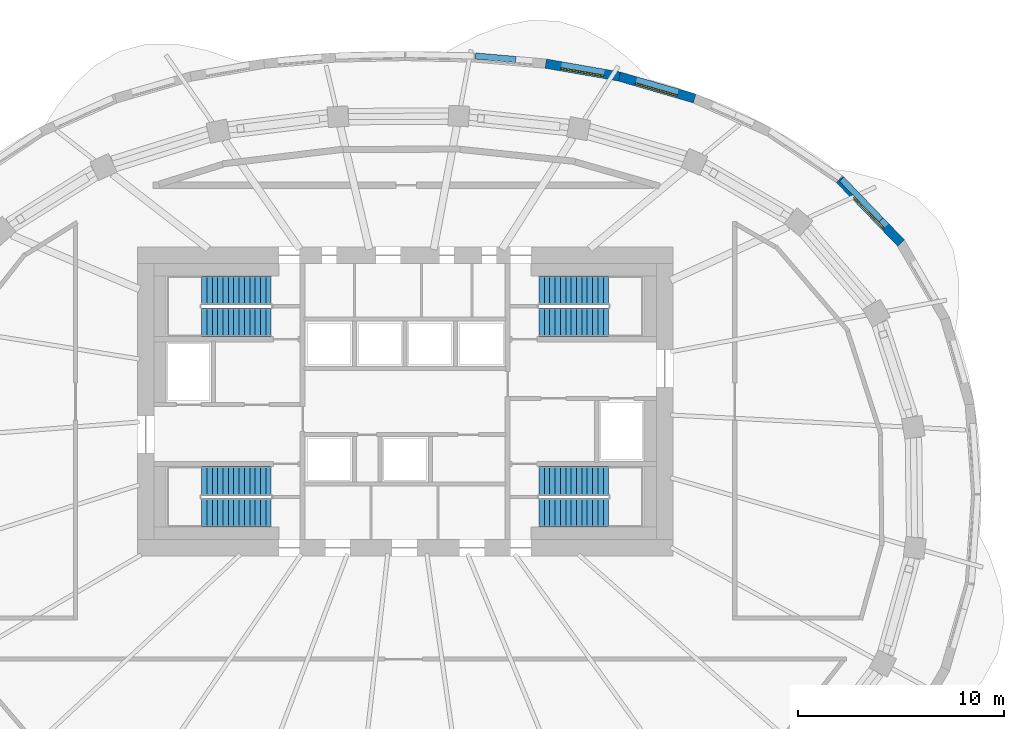
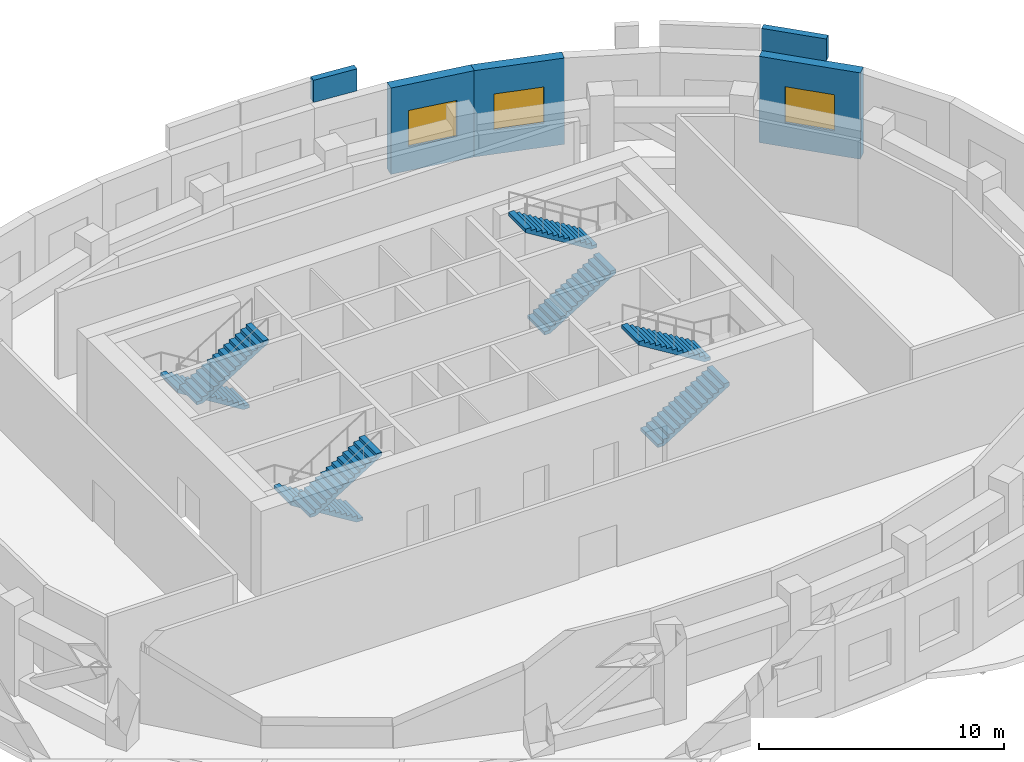
# One storey, part 8 of 9: 8 stair flights, 5 walls, 3 windows, 3 openings, 4 elements without a shape of their own.
"""IFC4 building model written with IfcOpenShell, lengths in metres."""

import ifcopenshell
import ifcopenshell.guid

model = None  # the IFC model being written
_history = None  # IfcOwnerHistory: only IFC2X3 demands one
_inside = {}  # id of a spatial element -> (the spatial element, [elements in it])
_under = {}  # id of a project, library or spatial element -> (it, [spatial elements below it])
_declared = {}  # id of a project -> (the project, [libraries it declares])
_typed = {}  # id of a type object -> (the type object, [elements of that type])
_made_of = {}  # id of a material, layer set ... -> (it, [elements and type objects made of it])


def new_model(schema):
    """Start an empty IFC model of exactly this schema.

    Asked for "IFC4X3", IfcOpenShell would pick the latest addendum, in which some entities
    have other attributes; the version numbers below select the first issue.
    IFC2X3 requires an IfcOwnerHistory on every rooted entity: one is made here for all.
    """
    global model, _history
    if schema == "IFC4X3":
        model = ifcopenshell.file(schema_version=(4, 3, 0, 0))
    else:
        model = ifcopenshell.file(schema=schema)
    _inside.clear()
    _under.clear()
    _declared.clear()
    _typed.clear()
    _made_of.clear()
    _history = None
    if model.schema == "IFC2X3":
        org = make("IfcOrganization", Name="unknown")
        user = make(
            "IfcPersonAndOrganization",
            ThePerson=make("IfcPerson", FamilyName="unknown"),
            TheOrganization=org,
        )
        app = make(
            "IfcApplication",
            ApplicationDeveloper=org,
            Version="unknown",
            ApplicationFullName="unknown",
            ApplicationIdentifier="unknown",
        )
        _history = make(
            "IfcOwnerHistory",
            OwningUser=user,
            OwningApplication=app,
            ChangeAction="ADDED",
            CreationDate=0,
        )
    return model


def make(cls, **values):
    """One entity of the class cls with the attributes given. An attribute that is None is left unset."""
    return model.create_entity(
        cls, **{name: value for name, value in values.items() if value is not None}
    )


def rooted(cls, **values):
    """An entity with a GlobalId (a new one), such as an element, a storey or a relation."""
    return make(cls, GlobalId=ifcopenshell.guid.new(), OwnerHistory=_history, **values)


def si_unit(unit_type, name, prefix=None):
    """IfcSIUnit, for example si_unit("LENGTHUNIT", "METRE", prefix="MILLI")."""
    return make("IfcSIUnit", UnitType=unit_type, Prefix=prefix, Name=name)


def assignment(units):
    """IfcUnitAssignment: the units of a project."""
    return None if units is None else make("IfcUnitAssignment", Units=units)


def point(xyz):
    """IfcCartesianPoint."""
    return None if xyz is None else make("IfcCartesianPoint", Coordinates=xyz)


def direction(xyz):
    """IfcDirection."""
    return None if xyz is None else make("IfcDirection", DirectionRatios=xyz)


def frame(location, z_axis=None, x_axis=None):
    """IfcAxis2Placement3D, a coordinate frame: its origin and axes. An axis left out is left unset."""
    return make(
        "IfcAxis2Placement3D",
        Location=point(location),
        Axis=direction(z_axis),
        RefDirection=direction(x_axis),
    )


def frame_2d(location, x_axis=None):
    """IfcAxis2Placement2D, a coordinate frame in the plane: its origin and x axis."""
    return make(
        "IfcAxis2Placement2D", Location=point(location), RefDirection=direction(x_axis)
    )


def origin():
    """The frame at (0, 0, 0) with its axes left unset."""
    return frame((0.0, 0.0, 0.0))


def place(relative_to, where):
    """IfcLocalPlacement: puts the frame where relative to a parent placement (None: the world)."""
    return make(
        "IfcLocalPlacement", PlacementRelTo=relative_to, RelativePlacement=where
    )


def context(
    kind, dimensions, precision=None, world=None, true_north=None, identifier=None
):
    """IfcGeometricRepresentationContext, for example the 3D "Model" context."""
    return make(
        "IfcGeometricRepresentationContext",
        ContextIdentifier=identifier,
        ContextType=kind,
        CoordinateSpaceDimension=dimensions,
        Precision=precision,
        WorldCoordinateSystem=world,
        TrueNorth=true_north,
    )


def subcontext(parent, identifier, kind, view, scale=None):
    """IfcGeometricRepresentationSubContext, for example "Body" below "Model"."""
    return make(
        "IfcGeometricRepresentationSubContext",
        ContextIdentifier=identifier,
        ContextType=kind,
        ParentContext=parent,
        TargetScale=scale,
        TargetView=view,
    )


def project(units=None, contexts=None):
    """IfcProject with its units and contexts."""
    return rooted(
        "IfcProject",
        Name="project",
        RepresentationContexts=contexts,
        UnitsInContext=assignment(units),
    )


def spatial(cls, under=None, at=None, **own):
    """A site, building, storey or space (cls), placed at a placement, below another one or the project."""
    s = rooted(cls, ObjectPlacement=at, **own)
    if under is not None:
        _under.setdefault(under.id(), (under, []))[1].append(s)
    return s


def polyline(points):
    """IfcPolyline through the points."""
    return make("IfcPolyline", Points=[point(p) for p in points])


def profile(cls, at=None, kind="AREA", **sizes):
    """A parametric profile (cls). Its sizes go by their IFC names, for example OverallWidth=200.0."""
    return make(cls, ProfileType=kind, Position=at, **sizes)


def rectangle(**sizes):
    """IfcRectangleProfileDef."""
    return profile("IfcRectangleProfileDef", **sizes)


def outline(outer, holes=None, kind="AREA"):
    """IfcArbitraryClosedProfileDef: a profile drawn as a closed curve; with holes, ...WithVoids."""
    if holes is None:
        return make("IfcArbitraryClosedProfileDef", ProfileType=kind, OuterCurve=outer)
    return make(
        "IfcArbitraryProfileDefWithVoids",
        ProfileType=kind,
        OuterCurve=outer,
        InnerCurves=holes,
    )


def extrude(swept, where, along, depth):
    """IfcExtrudedAreaSolid: the profile swept, set in the frame where, extruded along a direction by depth."""
    return make(
        "IfcExtrudedAreaSolid",
        SweptArea=swept,
        Position=where,
        ExtrudedDirection=direction(along),
        Depth=depth,
    )


def shape(context_of_items, identifier, shape_type, items):
    """IfcShapeRepresentation: the items that make up one representation, for example the "Body"."""
    return make(
        "IfcShapeRepresentation",
        ContextOfItems=context_of_items,
        RepresentationIdentifier=identifier,
        RepresentationType=shape_type,
        Items=items,
    )


def material(Name=None, Category=None):
    """IfcMaterial."""
    return make("IfcMaterial", Name=Name, Category=Category)


def layer(
    of_material, thickness, ventilated=None, Name=None, Category=None, Priority=None
):
    """IfcMaterialLayer: one layer of a wall or slab, of a material (None: an air gap)."""
    return make(
        "IfcMaterialLayer",
        Material=of_material,
        LayerThickness=thickness,
        IsVentilated=ventilated,
        Name=Name,
        Category=Category,
        Priority=Priority,
    )


def layer_set(layers, Name=None):
    """IfcMaterialLayerSet."""
    return make("IfcMaterialLayerSet", MaterialLayers=layers, LayerSetName=Name)


def made_of(thing, what):
    """Note that an element or type object is made of a material, layer set ...; save() writes the relation."""
    if what is not None:
        _made_of.setdefault(what.id(), (what, []))[1].append(thing)
    return thing


def type_object(cls, material=None, **own):
    """A type object (cls), such as IfcWallType, which elements share."""
    return made_of(rooted(cls, **own), material)


def element(
    cls,
    number,
    at=None,
    inside=None,
    cuts=None,
    type_object=None,
    material=None,
    context=None,
    identifier="Body",
    shape_type=None,
    held_by="IfcProductDefinitionShape",
    body=None,
    shapes=None,
    **own,
):
    """One element of the class cls, such as IfcWall. Its Tag is "e" and its number.

    at: its placement. inside: the storey or other place that contains it. cuts: it is an
    opening in that element (IfcRelVoidsElement). A single representation is given by context,
    identifier, shape_type and body (its items); several are given by shapes. held_by: the class
    of the entity that holds the representations. save() writes the other relations.
    """
    e = rooted(cls, Tag="e%d" % number, ObjectPlacement=at, **own)
    if body is not None:
        shapes = [shape(context, identifier, shape_type, body)]
    if shapes is not None:
        e.Representation = make(held_by, Representations=shapes)
    if inside is not None:
        _inside.setdefault(inside.id(), (inside, []))[1].append(e)
    if cuts is not None:
        rooted(
            "IfcRelVoidsElement", RelatingBuildingElement=cuts, RelatedOpeningElement=e
        )
    if type_object is not None:
        _typed.setdefault(type_object.id(), (type_object, []))[1].append(e)
    return made_of(e, material)


def fill(opening, filler):
    """IfcRelFillsElement: the door or window that sits in an opening."""
    return rooted(
        "IfcRelFillsElement",
        RelatingOpeningElement=opening,
        RelatedBuildingElement=filler,
    )


def aggregate(whole, parts):
    """IfcRelAggregates: a whole, such as a stair, and the parts it consists of."""
    return rooted("IfcRelAggregates", RelatingObject=whole, RelatedObjects=parts)


def save(model, path):
    """Write the relations noted so far, then the file.

    IfcRelAggregates (storeys below a building ...), IfcRelContainedInSpatialStructure (elements
    in a storey), IfcRelDefinesByType, IfcRelAssociatesMaterial and IfcRelDeclares: one each for
    every whole, place, type object, material and project.
    """
    for whole, parts in _under.values():
        aggregate(whole, parts)
    for where, things in _inside.values():
        rooted(
            "IfcRelContainedInSpatialStructure",
            RelatedElements=things,
            RelatingStructure=where,
        )
    for kind, things in _typed.values():
        rooted("IfcRelDefinesByType", RelatedObjects=things, RelatingType=kind)
    for what, things in _made_of.values():
        rooted("IfcRelAssociatesMaterial", RelatedObjects=things, RelatingMaterial=what)
    for by, libraries in _declared.values():
        rooted("IfcRelDeclares", RelatingContext=by, RelatedDefinitions=libraries)
    model.write(path)


model = new_model("IFC4")

# Units and contexts
model_context = context("Model", 3, precision=1e-05, world=origin(), true_north=direction((0.0, 1.0)))
body_context = subcontext(model_context, "Body", "Model", "MODEL_VIEW")
ifc_project = project(units=[si_unit("LENGTHUNIT", "METRE"), si_unit("AREAUNIT", "SQUARE_METRE"), si_unit("VOLUMEUNIT", "CUBIC_METRE"), si_unit("PLANEANGLEUNIT", "RADIAN"), si_unit("MASSUNIT", "GRAM", prefix="KILO")], contexts=[model_context])

# Site, building, storey
site_placement = place(None, origin())
site = spatial("IfcSite", under=ifc_project, at=site_placement, CompositionType="ELEMENT")
building_placement = place(site_placement, origin())
building = spatial("IfcBuilding", under=site, at=building_placement, Name="Rubra Terraces Tower", CompositionType="ELEMENT")
storey_placement = place(building_placement, frame((0.0, 0.0, 216.89990234375)))
storey = spatial("IfcBuildingStorey", under=building, at=storey_placement, Name="L53", CompositionType="ELEMENT", Elevation=216.89990234375)

# Wall, opening, window
ifc_material_1 = material(Name="Brick masonry red-brown", Category="masonry")
ifc_layer_1 = layer(ifc_material_1, 0.449951171875)
ifc_layer_set_1 = layer_set([ifc_layer_1], Name="Brick masonry red-brown")
wall_type_1 = type_object("IfcWallType", Name="Brick facade wall 450", PredefinedType="SOLIDWALL", material=ifc_layer_set_1)
wall_1_placement = place(storey_placement, frame((24.076904296875, 12.19384765625, 0.0), z_axis=(0.0, 0.0, 1.0), x_axis=(-0.69406513137, 0.719912212298, 0.0)))
wall_1 = element("IfcWall", 1, at=wall_1_placement, inside=storey, type_object=wall_type_1, Name="Facade wall L53 bay 4", PredefinedType="SOLIDWALL", context=body_context, shape_type="SweptSolid", body=[
    extrude(rectangle(XDim=4.2978515625, YDim=0.449951171875, at=frame_2d((2.14892578125, 0.0))), origin(), (0.0, 0.0, 1.0), 4.300048828125),
])
opening_1_placement = place(wall_1_placement, frame((1.098876953125, 0.0, 1.199951171875)))
opening_1 = element("IfcOpeningElement", 2, at=opening_1_placement, cuts=wall_1, Name="Opening W4", PredefinedType="OPENING", context=body_context, shape_type="SweptSolid", body=[
    extrude(rectangle(XDim=2.10009765625, YDim=1.800048828125, at=frame_2d((1.050048828125, 0.89990234375))), frame((0.0, 0.23486328125, 0.0), z_axis=(0.0, -1.0, 0.0), x_axis=(1.0, 0.0, 0.0)), (0.0, 0.0, 1.0), 0.469970703125),
])
ifc_material_2 = material(Name="Clear glass in aluminium frame", Category="aluminium")
window_type = type_object("IfcWindowType", Name="Louvred plant window 2100 x 1800", PartitioningType="SINGLE_PANEL", PredefinedType="WINDOW", material=ifc_material_2)
window_1_placement = place(opening_1_placement, origin())
window_1 = element("IfcWindow", 3, at=window_1_placement, inside=storey, type_object=window_type, Name="Window L53 bay 4", OverallHeight=1.800048828125, OverallWidth=2.10009765625, PartitioningType="SINGLE_PANEL", PredefinedType="WINDOW", context=body_context, shape_type="SweptSolid", body=[
    extrude(rectangle(XDim=2.10009765625, YDim=1.800048828125, at=frame_2d((1.050048828125, 0.89990234375))), frame((0.0, 0.135009765625, 0.0), z_axis=(0.0, -1.0, 0.0), x_axis=(1.0, 0.0, 0.0)), (0.0, 0.0, 1.0), 0.06005859375),
])
fill(opening_1, window_1)

wall_2_placement = place(storey_placement, frame((14.052978515625, 19.212890625, 0.0), z_axis=(0.0, 0.0, 1.0), x_axis=(-0.960131452472, 0.279548911594, 0.0)))
wall_2 = element("IfcWall", 4, at=wall_2_placement, inside=storey, type_object=wall_type_1, Name="Facade wall L53 bay 7", PredefinedType="SOLIDWALL", context=body_context, shape_type="SweptSolid", body=[
    extrude(rectangle(XDim=3.824462890625, YDim=0.449951171875, at=frame_2d((1.912109375, 0.0))), origin(), (0.0, 0.0, 1.0), 4.300048828125),
])
opening_2_placement = place(wall_2_placement, frame((0.8623046875, 0.0, 1.199951171875)))
opening_2 = element("IfcOpeningElement", 5, at=opening_2_placement, cuts=wall_2, Name="Opening W4", PredefinedType="OPENING", context=body_context, shape_type="SweptSolid", body=[
    extrude(rectangle(XDim=2.10009765625, YDim=1.800048828125, at=frame_2d((1.050048828125, 0.89990234375))), frame((0.0, 0.23486328125, 0.0), z_axis=(0.0, -1.0, 0.0), x_axis=(1.0, 0.0, 0.0)), (0.0, 0.0, 1.0), 0.469970703125),
])
window_2_placement = place(opening_2_placement, origin())
window_2 = element("IfcWindow", 6, at=window_2_placement, inside=storey, type_object=window_type, Name="Window L53 bay 7", OverallHeight=1.800048828125, OverallWidth=2.10009765625, PartitioningType="SINGLE_PANEL", PredefinedType="WINDOW", context=body_context, shape_type="SweptSolid", body=[
    extrude(rectangle(XDim=2.10009765625, YDim=1.800048828125, at=frame_2d((1.050048828125, 0.89990234375))), frame((0.0, 0.135009765625, 0.0), z_axis=(0.0, -1.0, 0.0), x_axis=(1.0, 0.0, 0.0)), (0.0, 0.0, 1.0), 0.06005859375),
])
fill(opening_2, window_2)

wall_3_placement = place(storey_placement, frame((10.405029296875, 20.2763671875, 0.0), z_axis=(0.0, 0.0, 1.0), x_axis=(-0.984962239205, 0.172769752386, 0.0)))
wall_3 = element("IfcWall", 7, at=wall_3_placement, inside=storey, type_object=wall_type_1, Name="Facade wall L53 bay 8", PredefinedType="SOLIDWALL", context=body_context, shape_type="SweptSolid", body=[
    extrude(rectangle(XDim=3.634521484375, YDim=0.449951171875, at=frame_2d((1.8173828125, 0.0))), origin(), (0.0, 0.0, 1.0), 4.300048828125),
])
opening_3_placement = place(wall_3_placement, frame((0.767333984375, 0.0, 1.199951171875)))
opening_3 = element("IfcOpeningElement", 8, at=opening_3_placement, cuts=wall_3, Name="Opening W4", PredefinedType="OPENING", context=body_context, shape_type="SweptSolid", body=[
    extrude(rectangle(XDim=2.10009765625, YDim=1.800048828125, at=frame_2d((1.050048828125, 0.89990234375))), frame((0.0, 0.23486328125, 0.0), z_axis=(0.0, -1.0, 0.0), x_axis=(1.0, 0.0, 0.0)), (0.0, 0.0, 1.0), 0.469970703125),
])
window_3_placement = place(opening_3_placement, origin())
window_3 = element("IfcWindow", 9, at=window_3_placement, inside=storey, type_object=window_type, Name="Window L53 bay 8", OverallHeight=1.800048828125, OverallWidth=2.10009765625, PartitioningType="SINGLE_PANEL", PredefinedType="WINDOW", context=body_context, shape_type="SweptSolid", body=[
    extrude(rectangle(XDim=2.10009765625, YDim=1.800048828125, at=frame_2d((1.050048828125, 0.89990234375))), frame((0.0, 0.135009765625, 0.0), z_axis=(0.0, -1.0, 0.0), x_axis=(1.0, 0.0, 0.0)), (0.0, 0.0, 1.0), 0.06005859375),
])
fill(opening_3, window_3)

# Walls
ifc_layer_2 = layer(ifc_material_1, 0.300048828125)
ifc_layer_set_2 = layer_set([ifc_layer_2], Name="Brick masonry red-brown")
wall_type_2 = type_object("IfcWallType", Name="Brick parapet 300", PredefinedType="PARAPET", material=ifc_layer_set_2)
wall_4_placement = place(storey_placement, frame((23.09765625, 13.317626953125, 4.5), z_axis=(0.0, 0.0, 1.0), x_axis=(-0.694058269721, 0.71991882753, 0.0)))
element("IfcWall", 10, at=wall_4_placement, inside=storey, type_object=wall_type_2, Name="Parapet L53 bay 4", PredefinedType="PARAPET", context=body_context, shape_type="SweptSolid", body=[
    extrude(rectangle(XDim=2.747314453125, YDim=0.300048828125, at=frame_2d((1.37353515625, 0.0))), origin(), (0.0, 0.0, 1.0), 1.10009765625),
])
wall_5_placement = place(storey_placement, frame((5.370361328125, 21.10498046875, 4.5), z_axis=(0.0, 0.0, 1.0), x_axis=(-0.996256019863, 0.086451968666, 0.0)))
element("IfcWall", 11, at=wall_5_placement, inside=storey, type_object=wall_type_2, Name="Parapet L53 bay 9", PredefinedType="PARAPET", context=body_context, shape_type="SweptSolid", body=[
    extrude(rectangle(XDim=1.95703125, YDim=0.300048828125, at=frame_2d((0.978515625, 0.0))), origin(), (0.0, 0.0, 1.0), 1.10009765625),
])

# Stair, stair flights
ifc_material_3 = material(Name="Concrete C40", Category="concrete")
stair_type = type_object("IfcStairType", Name="Core stair 1400", PredefinedType="HALF_TURN_STAIR", material=ifc_material_3)
stair_1_placement = place(storey_placement, origin())
stair_1 = element("IfcStair", 12, at=stair_1_placement, inside=storey, type_object=stair_type, Name="L53 Exit stair S1", PredefinedType="HALF_TURN_STAIR")
stair_flight_type = type_object("IfcStairFlightType", Name="Core stair flight 1400", PredefinedType="STRAIGHT", material=ifc_material_3)
stair_flight_1_placement = place(storey_placement, frame((-6.5, 0.64990234375, 0.0), z_axis=(0.0, 0.0, 1.0), x_axis=(-1.0, 0.0, 0.0)))
stair_flight_1 = element("IfcStairFlight", 13, at=stair_flight_1_placement, type_object=stair_flight_type, Name="S1 flight 1", NumberOfRisers=14, NumberOfTreads=13, PredefinedType="STRAIGHT", RiserHeight=0.160714286, TreadLength=0.26, context=body_context, shape_type="SweptSolid", body=[
    extrude(outline(polyline([(0.0, 0.0), (0.0, 0.16064453125), (0.260009765625, 0.16064453125), (0.260009765625, 0.321533203125), (0.52001953125, 0.321533203125), (0.52001953125, 0.482177734375), (0.780029296875, 0.482177734375), (0.780029296875, 0.642822265625), (1.0400390625, 0.642822265625), (1.0400390625, 0.803466796875), (1.300048828125, 0.803466796875), (1.300048828125, 0.96435546875), (1.56005859375, 0.96435546875), (1.56005859375, 1.125), (1.820068359375, 1.125), (1.820068359375, 1.28564453125), (2.080078125, 1.28564453125), (2.080078125, 1.446533203125), (2.340087890625, 1.446533203125), (2.340087890625, 1.607177734375), (2.60009765625, 1.607177734375), (2.60009765625, 1.767822265625), (2.860107421875, 1.767822265625), (2.860107421875, 1.928466796875), (3.1201171875, 1.928466796875), (3.1201171875, 2.08935546875), (3.3798828125, 2.08935546875), (3.3798828125, 2.25), (3.3798828125, 1.9130859375), (0.28515625, 0.0), (0.0, 0.0)])), frame((0.0, 0.699951171875, 0.0), z_axis=(0.0, -1.0, 0.0), x_axis=(1.0, 0.0, 0.0)), (0.0, 0.0, 1.0), 1.39990234375),
])
stair_flight_2_placement = place(storey_placement, frame((-9.8798828125, -0.89990234375, 2.25), z_axis=(0.0, 0.0, 1.0), x_axis=(1.0, 0.0, 0.0)))
stair_flight_2 = element("IfcStairFlight", 14, at=stair_flight_2_placement, type_object=stair_flight_type, Name="S1 flight 2", NumberOfRisers=14, NumberOfTreads=13, PredefinedType="STRAIGHT", RiserHeight=0.160714286, TreadLength=0.26, context=body_context, shape_type="SweptSolid", body=[
    extrude(outline(polyline([(0.0, 0.0), (0.0, 0.16064453125), (0.260009765625, 0.16064453125), (0.260009765625, 0.321533203125), (0.52001953125, 0.321533203125), (0.52001953125, 0.482177734375), (0.780029296875, 0.482177734375), (0.780029296875, 0.642822265625), (1.0400390625, 0.642822265625), (1.0400390625, 0.803466796875), (1.300048828125, 0.803466796875), (1.300048828125, 0.96435546875), (1.56005859375, 0.96435546875), (1.56005859375, 1.125), (1.820068359375, 1.125), (1.820068359375, 1.28564453125), (2.080078125, 1.28564453125), (2.080078125, 1.446533203125), (2.340087890625, 1.446533203125), (2.340087890625, 1.607177734375), (2.60009765625, 1.607177734375), (2.60009765625, 1.767822265625), (2.860107421875, 1.767822265625), (2.860107421875, 1.928466796875), (3.1201171875, 1.928466796875), (3.1201171875, 2.08935546875), (3.3798828125, 2.08935546875), (3.3798828125, 2.25), (3.3798828125, 1.9130859375), (0.28515625, 0.0), (0.0, 0.0)])), frame((0.0, 0.699951171875, 0.0), z_axis=(0.0, -1.0, 0.0), x_axis=(1.0, 0.0, 0.0)), (0.0, 0.0, 1.0), 1.39990234375),
])
aggregate(stair_1, [stair_flight_1, stair_flight_2])

stair_2_placement = place(storey_placement, origin())
stair_2 = element("IfcStair", 15, at=stair_2_placement, inside=storey, type_object=stair_type, Name="L53 Exit stair S2", PredefinedType="HALF_TURN_STAIR")
stair_flight_3_placement = place(storey_placement, frame((-6.5, 9.89990234375, 0.0), z_axis=(0.0, 0.0, 1.0), x_axis=(-1.0, 0.0, 0.0)))
stair_flight_3 = element("IfcStairFlight", 16, at=stair_flight_3_placement, type_object=stair_flight_type, Name="S2 flight 1", NumberOfRisers=14, NumberOfTreads=13, PredefinedType="STRAIGHT", RiserHeight=0.160714286, TreadLength=0.26, context=body_context, shape_type="SweptSolid", body=[
    extrude(outline(polyline([(0.0, 0.0), (0.0, 0.16064453125), (0.260009765625, 0.16064453125), (0.260009765625, 0.321533203125), (0.52001953125, 0.321533203125), (0.52001953125, 0.482177734375), (0.780029296875, 0.482177734375), (0.780029296875, 0.642822265625), (1.0400390625, 0.642822265625), (1.0400390625, 0.803466796875), (1.300048828125, 0.803466796875), (1.300048828125, 0.96435546875), (1.56005859375, 0.96435546875), (1.56005859375, 1.125), (1.820068359375, 1.125), (1.820068359375, 1.28564453125), (2.080078125, 1.28564453125), (2.080078125, 1.446533203125), (2.340087890625, 1.446533203125), (2.340087890625, 1.607177734375), (2.60009765625, 1.607177734375), (2.60009765625, 1.767822265625), (2.860107421875, 1.767822265625), (2.860107421875, 1.928466796875), (3.1201171875, 1.928466796875), (3.1201171875, 2.08935546875), (3.3798828125, 2.08935546875), (3.3798828125, 2.25), (3.3798828125, 1.9130859375), (0.28515625, 0.0), (0.0, 0.0)])), frame((0.0, 0.699951171875, 0.0), z_axis=(0.0, -1.0, 0.0), x_axis=(1.0, 0.0, 0.0)), (0.0, 0.0, 1.0), 1.39990234375),
])
stair_flight_4_placement = place(storey_placement, frame((-9.8798828125, 8.35009765625, 2.25), z_axis=(0.0, 0.0, 1.0), x_axis=(1.0, 0.0, 0.0)))
stair_flight_4 = element("IfcStairFlight", 17, at=stair_flight_4_placement, type_object=stair_flight_type, Name="S2 flight 2", NumberOfRisers=14, NumberOfTreads=13, PredefinedType="STRAIGHT", RiserHeight=0.160714286, TreadLength=0.26, context=body_context, shape_type="SweptSolid", body=[
    extrude(outline(polyline([(0.0, 0.0), (0.0, 0.16064453125), (0.260009765625, 0.16064453125), (0.260009765625, 0.321533203125), (0.52001953125, 0.321533203125), (0.52001953125, 0.482177734375), (0.780029296875, 0.482177734375), (0.780029296875, 0.642822265625), (1.0400390625, 0.642822265625), (1.0400390625, 0.803466796875), (1.300048828125, 0.803466796875), (1.300048828125, 0.96435546875), (1.56005859375, 0.96435546875), (1.56005859375, 1.125), (1.820068359375, 1.125), (1.820068359375, 1.28564453125), (2.080078125, 1.28564453125), (2.080078125, 1.446533203125), (2.340087890625, 1.446533203125), (2.340087890625, 1.607177734375), (2.60009765625, 1.607177734375), (2.60009765625, 1.767822265625), (2.860107421875, 1.767822265625), (2.860107421875, 1.928466796875), (3.1201171875, 1.928466796875), (3.1201171875, 2.08935546875), (3.3798828125, 2.08935546875), (3.3798828125, 2.25), (3.3798828125, 1.9130859375), (0.28515625, 0.0), (0.0, 0.0)])), frame((0.0, 0.699951171875, 0.0), z_axis=(0.0, -1.0, 0.0), x_axis=(1.0, 0.0, 0.0)), (0.0, 0.0, 1.0), 1.39990234375),
])
aggregate(stair_2, [stair_flight_3, stair_flight_4])

stair_3_placement = place(storey_placement, origin())
stair_3 = element("IfcStair", 18, at=stair_3_placement, inside=storey, type_object=stair_type, Name="L53 Exit stair S3", PredefinedType="HALF_TURN_STAIR")
stair_flight_5_placement = place(storey_placement, frame((6.5, 8.35009765625, 0.0), z_axis=(0.0, 0.0, 1.0), x_axis=(1.0, 0.0, 0.0)))
stair_flight_5 = element("IfcStairFlight", 19, at=stair_flight_5_placement, type_object=stair_flight_type, Name="S3 flight 1", NumberOfRisers=14, NumberOfTreads=13, PredefinedType="STRAIGHT", RiserHeight=0.160714286, TreadLength=0.26, context=body_context, shape_type="SweptSolid", body=[
    extrude(outline(polyline([(0.0, 0.0), (0.0, 0.16064453125), (0.260009765625, 0.16064453125), (0.260009765625, 0.321533203125), (0.52001953125, 0.321533203125), (0.52001953125, 0.482177734375), (0.780029296875, 0.482177734375), (0.780029296875, 0.642822265625), (1.0400390625, 0.642822265625), (1.0400390625, 0.803466796875), (1.300048828125, 0.803466796875), (1.300048828125, 0.96435546875), (1.56005859375, 0.96435546875), (1.56005859375, 1.125), (1.820068359375, 1.125), (1.820068359375, 1.28564453125), (2.080078125, 1.28564453125), (2.080078125, 1.446533203125), (2.340087890625, 1.446533203125), (2.340087890625, 1.607177734375), (2.60009765625, 1.607177734375), (2.60009765625, 1.767822265625), (2.860107421875, 1.767822265625), (2.860107421875, 1.928466796875), (3.1201171875, 1.928466796875), (3.1201171875, 2.08935546875), (3.3798828125, 2.08935546875), (3.3798828125, 2.25), (3.3798828125, 1.9130859375), (0.28515625, 0.0), (0.0, 0.0)])), frame((0.0, 0.699951171875, 0.0), z_axis=(0.0, -1.0, 0.0), x_axis=(1.0, 0.0, 0.0)), (0.0, 0.0, 1.0), 1.39990234375),
])
stair_flight_6_placement = place(storey_placement, frame((9.8798828125, 9.89990234375, 2.25), z_axis=(0.0, 0.0, 1.0), x_axis=(-1.0, 0.0, 0.0)))
stair_flight_6 = element("IfcStairFlight", 20, at=stair_flight_6_placement, type_object=stair_flight_type, Name="S3 flight 2", NumberOfRisers=14, NumberOfTreads=13, PredefinedType="STRAIGHT", RiserHeight=0.160714286, TreadLength=0.26, context=body_context, shape_type="SweptSolid", body=[
    extrude(outline(polyline([(0.0, 0.0), (0.0, 0.16064453125), (0.260009765625, 0.16064453125), (0.260009765625, 0.321533203125), (0.52001953125, 0.321533203125), (0.52001953125, 0.482177734375), (0.780029296875, 0.482177734375), (0.780029296875, 0.642822265625), (1.0400390625, 0.642822265625), (1.0400390625, 0.803466796875), (1.300048828125, 0.803466796875), (1.300048828125, 0.96435546875), (1.56005859375, 0.96435546875), (1.56005859375, 1.125), (1.820068359375, 1.125), (1.820068359375, 1.28564453125), (2.080078125, 1.28564453125), (2.080078125, 1.446533203125), (2.340087890625, 1.446533203125), (2.340087890625, 1.607177734375), (2.60009765625, 1.607177734375), (2.60009765625, 1.767822265625), (2.860107421875, 1.767822265625), (2.860107421875, 1.928466796875), (3.1201171875, 1.928466796875), (3.1201171875, 2.08935546875), (3.3798828125, 2.08935546875), (3.3798828125, 2.25), (3.3798828125, 1.9130859375), (0.28515625, 0.0), (0.0, 0.0)])), frame((0.0, 0.699951171875, 0.0), z_axis=(0.0, -1.0, 0.0), x_axis=(1.0, 0.0, 0.0)), (0.0, 0.0, 1.0), 1.39990234375),
])
aggregate(stair_3, [stair_flight_5, stair_flight_6])

stair_4_placement = place(storey_placement, origin())
stair_4 = element("IfcStair", 21, at=stair_4_placement, inside=storey, type_object=stair_type, Name="L53 Exit stair S4", PredefinedType="HALF_TURN_STAIR")
stair_flight_7_placement = place(storey_placement, frame((6.5, -0.89990234375, 0.0), z_axis=(0.0, 0.0, 1.0), x_axis=(1.0, 0.0, 0.0)))
stair_flight_7 = element("IfcStairFlight", 22, at=stair_flight_7_placement, type_object=stair_flight_type, Name="S4 flight 1", NumberOfRisers=14, NumberOfTreads=13, PredefinedType="STRAIGHT", RiserHeight=0.160714286, TreadLength=0.26, context=body_context, shape_type="SweptSolid", body=[
    extrude(outline(polyline([(0.0, 0.0), (0.0, 0.16064453125), (0.260009765625, 0.16064453125), (0.260009765625, 0.321533203125), (0.52001953125, 0.321533203125), (0.52001953125, 0.482177734375), (0.780029296875, 0.482177734375), (0.780029296875, 0.642822265625), (1.0400390625, 0.642822265625), (1.0400390625, 0.803466796875), (1.300048828125, 0.803466796875), (1.300048828125, 0.96435546875), (1.56005859375, 0.96435546875), (1.56005859375, 1.125), (1.820068359375, 1.125), (1.820068359375, 1.28564453125), (2.080078125, 1.28564453125), (2.080078125, 1.446533203125), (2.340087890625, 1.446533203125), (2.340087890625, 1.607177734375), (2.60009765625, 1.607177734375), (2.60009765625, 1.767822265625), (2.860107421875, 1.767822265625), (2.860107421875, 1.928466796875), (3.1201171875, 1.928466796875), (3.1201171875, 2.08935546875), (3.3798828125, 2.08935546875), (3.3798828125, 2.25), (3.3798828125, 1.9130859375), (0.28515625, 0.0), (0.0, 0.0)])), frame((0.0, 0.699951171875, 0.0), z_axis=(0.0, -1.0, 0.0), x_axis=(1.0, 0.0, 0.0)), (0.0, 0.0, 1.0), 1.39990234375),
])
stair_flight_8_placement = place(storey_placement, frame((9.8798828125, 0.64990234375, 2.25), z_axis=(0.0, 0.0, 1.0), x_axis=(-1.0, 0.0, 0.0)))
stair_flight_8 = element("IfcStairFlight", 23, at=stair_flight_8_placement, type_object=stair_flight_type, Name="S4 flight 2", NumberOfRisers=14, NumberOfTreads=13, PredefinedType="STRAIGHT", RiserHeight=0.160714286, TreadLength=0.26, context=body_context, shape_type="SweptSolid", body=[
    extrude(outline(polyline([(0.0, 0.0), (0.0, 0.16064453125), (0.260009765625, 0.16064453125), (0.260009765625, 0.321533203125), (0.52001953125, 0.321533203125), (0.52001953125, 0.482177734375), (0.780029296875, 0.482177734375), (0.780029296875, 0.642822265625), (1.0400390625, 0.642822265625), (1.0400390625, 0.803466796875), (1.300048828125, 0.803466796875), (1.300048828125, 0.96435546875), (1.56005859375, 0.96435546875), (1.56005859375, 1.125), (1.820068359375, 1.125), (1.820068359375, 1.28564453125), (2.080078125, 1.28564453125), (2.080078125, 1.446533203125), (2.340087890625, 1.446533203125), (2.340087890625, 1.607177734375), (2.60009765625, 1.607177734375), (2.60009765625, 1.767822265625), (2.860107421875, 1.767822265625), (2.860107421875, 1.928466796875), (3.1201171875, 1.928466796875), (3.1201171875, 2.08935546875), (3.3798828125, 2.08935546875), (3.3798828125, 2.25), (3.3798828125, 1.9130859375), (0.28515625, 0.0), (0.0, 0.0)])), frame((0.0, 0.699951171875, 0.0), z_axis=(0.0, -1.0, 0.0), x_axis=(1.0, 0.0, 0.0)), (0.0, 0.0, 1.0), 1.39990234375),
])
aggregate(stair_4, [stair_flight_7, stair_flight_8])

save(model, "model.ifc")
